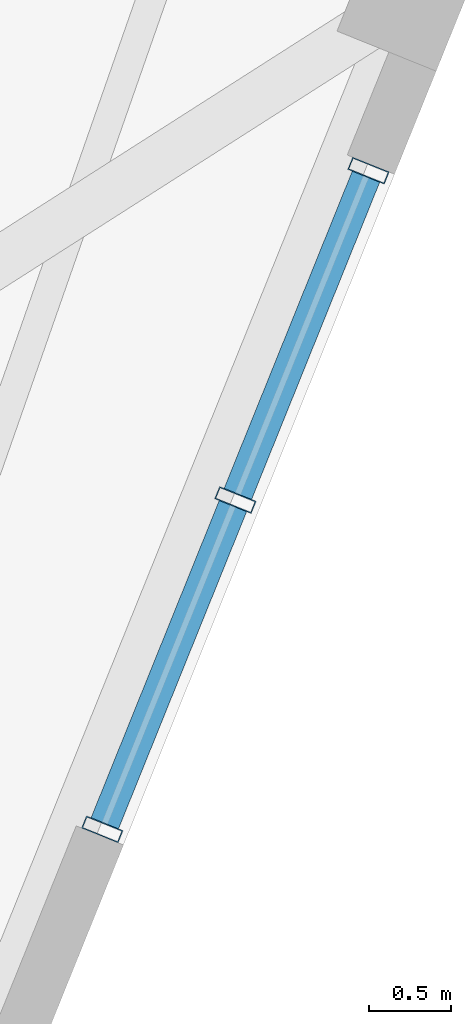
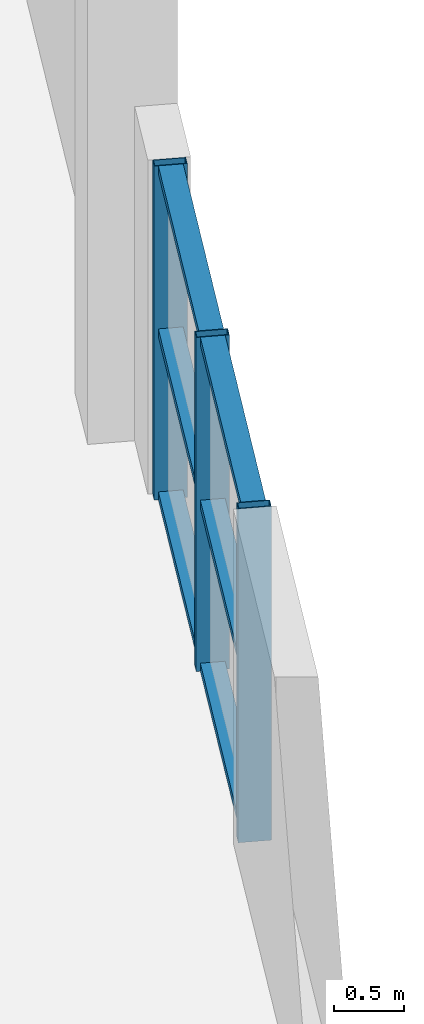
# One storey, part 2 of 9: 9 members, 1 element without a shape of its own.
"""IFC4 building model written with IfcOpenShell, lengths in metres."""

from ifc_helpers import new_model, si_unit, direction, frame, origin, origin_2d, place, context, subcontext, project, spatial, hollow_rectangle, extrude, source, transform, mapped, material, layer, layer_set, material_profile, profile_set, type_object, element, aggregate, save


model = new_model("IFC4")

# Units and contexts
model_context = context("Model", 3, precision=1e-05, world=origin(), true_north=direction((0.0, 1.0)))
body_context = subcontext(model_context, "Body", "Model", "MODEL_VIEW")
ifc_project = project(units=[si_unit("LENGTHUNIT", "METRE"), si_unit("AREAUNIT", "SQUARE_METRE"), si_unit("VOLUMEUNIT", "CUBIC_METRE"), si_unit("PLANEANGLEUNIT", "RADIAN"), si_unit("MASSUNIT", "GRAM", prefix="KILO"), si_unit("THERMODYNAMICTEMPERATUREUNIT", "KELVIN")], contexts=[model_context])

# Site, building, storey
site_placement = place(None, origin())
site = spatial("IfcSite", under=ifc_project, at=site_placement, CompositionType="ELEMENT")
building_placement = place(site_placement, origin())
building = spatial("IfcBuilding", under=site, at=building_placement, Name="Kosmvard Interchange Tower", CompositionType="ELEMENT")
storey_placement = place(building_placement, frame((0.0, 0.0, 316.800048828125)))
storey = spatial("IfcBuildingStorey", under=building, at=storey_placement, Name="L78", CompositionType="ELEMENT", Elevation=316.800048828125)

# Curtain wall, members
ifc_material = material(Name="Architectural anodised aluminium", Category="aluminium")
ifc_layer = layer(ifc_material, 0.239990234375, Name="Architectural anodised aluminium")
ifc_layer_set = layer_set([ifc_layer], Name="Architectural anodised aluminium")
curtain_wall_type = type_object("IfcCurtainWallType", Name="CW-5 Public Observation Panorama Curtain Wall", PredefinedType="NOTDEFINED", material=ifc_layer_set)
curtain_wall_placement = place(storey_placement, origin())
curtain_wall = element("IfcCurtainWall", 1, at=curtain_wall_placement, inside=storey, type_object=curtain_wall_type, Name="L78 Observation Panorama Curtain Wall S", PredefinedType="NOTDEFINED")
ifc_material_profile_1 = material_profile(ifc_material, hollow_rectangle(XDim=0.179931640625, YDim=0.070068359375, WallThickness=0.0048828125, at=origin_2d()), Name="CWT 180x70x5")
ifc_profile_set_1 = profile_set([ifc_material_profile_1], Name="Architectural anodised aluminium")
member_type_1 = type_object("IfcMemberType", Name="Heavy Lantern CW Transom 180x70 Aluminium", PredefinedType="USERDEFINED", material=ifc_profile_set_1)
shared_shape_1 = source(origin(), body_context, "Body", "SweptSolid", [
    extrude(hollow_rectangle(XDim=0.179931640625, YDim=0.070068359375, WallThickness=0.0048828125, at=origin_2d()), origin(), (0.0, 0.0, 1.0), 2.079833984375),
])
member_1_placement = place(storey_placement, frame((18.72509765625, -13.30322265625, 0.034912109375), z_axis=(0.374565910492, 0.927200290497, 0.0), x_axis=(-0.927200290497, 0.374565910492, 0.0)))
member_1 = element("IfcMember", 2, at=member_1_placement, type_object=member_type_1, Name="CW-5 transom 1.1", ObjectType="TRANSOM", PredefinedType="USERDEFINED", context=body_context, shape_type="MappedRepresentation", body=[
    mapped(shared_shape_1, transform((0.0, 0.0, 0.0), scale=1.0)),
])
member_2_placement = place(storey_placement, frame((18.72509765625, -13.30322265625, 1.4599609375), z_axis=(0.374565910492, 0.927200290497, 0.0), x_axis=(-0.927200290497, 0.374565910492, 0.0)))
member_2 = element("IfcMember", 3, at=member_2_placement, type_object=member_type_1, Name="CW-5 transom 1.2", ObjectType="TRANSOM", PredefinedType="USERDEFINED", context=body_context, shape_type="MappedRepresentation", body=[
    mapped(shared_shape_1, transform((0.0, 0.0, 0.0), scale=1.0)),
])
member_3_placement = place(storey_placement, frame((18.72509765625, -13.30322265625, 2.885009765625), z_axis=(0.374565910492, 0.927200290497, 0.0), x_axis=(-0.927200290497, 0.374565910492, 0.0)))
member_3 = element("IfcMember", 4, at=member_3_placement, type_object=member_type_1, Name="CW-5 transom 1.3", ObjectType="TRANSOM", PredefinedType="USERDEFINED", context=body_context, shape_type="MappedRepresentation", body=[
    mapped(shared_shape_1, transform((0.0, 0.0, 0.0), scale=1.0)),
])
shared_shape_2 = source(origin(), body_context, "Body", "SweptSolid", [
    extrude(hollow_rectangle(XDim=0.179931640625, YDim=0.070068359375, WallThickness=0.0048828125, at=origin_2d()), origin(), (0.0, 0.0, 1.0), 2.080078125),
])
member_4_placement = place(storey_placement, frame((19.5341796875, -11.300537109375, 0.034912109375), z_axis=(0.374525148083, 0.927216756456, 0.0), x_axis=(-0.927216756456, 0.374525148083, 0.0)))
member_4 = element("IfcMember", 5, at=member_4_placement, type_object=member_type_1, Name="CW-5 transom 2.1", ObjectType="TRANSOM", PredefinedType="USERDEFINED", context=body_context, shape_type="MappedRepresentation", body=[
    mapped(shared_shape_2, transform((0.0, 0.0, 0.0), scale=1.0)),
])
member_5_placement = place(storey_placement, frame((19.5341796875, -11.300537109375, 1.4599609375), z_axis=(0.374525148083, 0.927216756456, 0.0), x_axis=(-0.927216756456, 0.374525148083, 0.0)))
member_5 = element("IfcMember", 6, at=member_5_placement, type_object=member_type_1, Name="CW-5 transom 2.2", ObjectType="TRANSOM", PredefinedType="USERDEFINED", context=body_context, shape_type="MappedRepresentation", body=[
    mapped(shared_shape_2, transform((0.0, 0.0, 0.0), scale=1.0)),
])
member_6_placement = place(storey_placement, frame((19.5341796875, -11.300537109375, 2.885009765625), z_axis=(0.374525148083, 0.927216756456, 0.0), x_axis=(-0.927216756456, 0.374525148083, 0.0)))
member_6 = element("IfcMember", 7, at=member_6_placement, type_object=member_type_1, Name="CW-5 transom 2.3", ObjectType="TRANSOM", PredefinedType="USERDEFINED", context=body_context, shape_type="MappedRepresentation", body=[
    mapped(shared_shape_2, transform((0.0, 0.0, 0.0), scale=1.0)),
])
ifc_material_profile_2 = material_profile(ifc_material, hollow_rectangle(XDim=0.239990234375, YDim=0.080078125, WallThickness=0.006103515625, at=origin_2d()), Name="CWM 240x80x6")
ifc_profile_set_2 = profile_set([ifc_material_profile_2], Name="Architectural anodised aluminium")
member_type_2 = type_object("IfcMemberType", Name="Lantern & Observation CW Mullion 240x80 Aluminium", PredefinedType="MULLION", material=ifc_profile_set_2)
shared_shape_3 = source(origin(), body_context, "Body", "SweptSolid", [
    extrude(hollow_rectangle(XDim=0.239990234375, YDim=0.080078125, WallThickness=0.006103515625, at=origin_2d()), origin(), (0.0, 0.0, 1.0), 2.919921875),
])
member_7_placement = place(storey_placement, frame((18.7099609375, -13.34033203125, 0.0), z_axis=(0.0, 0.0, 1.0), x_axis=(-0.927183856711, 0.374606588108, 0.0)))
member_7 = element("IfcMember", 8, at=member_7_placement, type_object=member_type_2, Name="CW-5 mullion 1", PredefinedType="MULLION", context=body_context, shape_type="MappedRepresentation", body=[
    mapped(shared_shape_3, transform((0.0, 0.0, 0.0), scale=1.0)),
])
member_8_placement = place(storey_placement, frame((19.519287109375, -11.337646484375, 0.0), z_axis=(0.0, 0.0, 1.0), x_axis=(-0.927183856711, 0.374606588108, 0.0)))
member_8 = element("IfcMember", 9, at=member_8_placement, type_object=member_type_2, Name="CW-5 mullion 2", PredefinedType="MULLION", context=body_context, shape_type="MappedRepresentation", body=[
    mapped(shared_shape_3, transform((0.0, 0.0, 0.0), scale=1.0)),
])
member_9_placement = place(storey_placement, frame((20.328369140625, -9.3349609375, 0.0), z_axis=(0.0, 0.0, 1.0), x_axis=(-0.927183856711, 0.374606588108, 0.0)))
member_9 = element("IfcMember", 10, at=member_9_placement, type_object=member_type_2, Name="CW-5 mullion 3", PredefinedType="MULLION", context=body_context, shape_type="MappedRepresentation", body=[
    mapped(shared_shape_3, transform((0.0, 0.0, 0.0), scale=1.0)),
])
aggregate(curtain_wall, [member_7, member_8, member_9, member_1, member_2, member_3, member_4, member_5, member_6])

save(model, "model.ifc")
